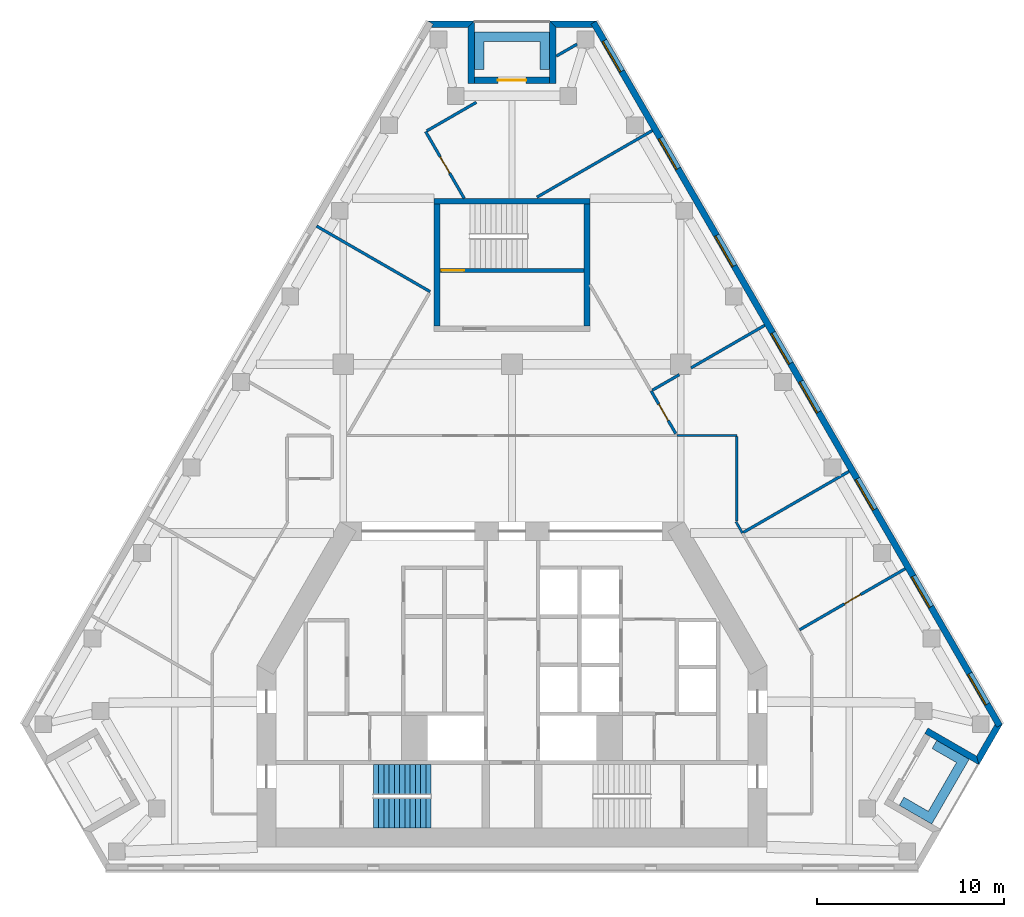
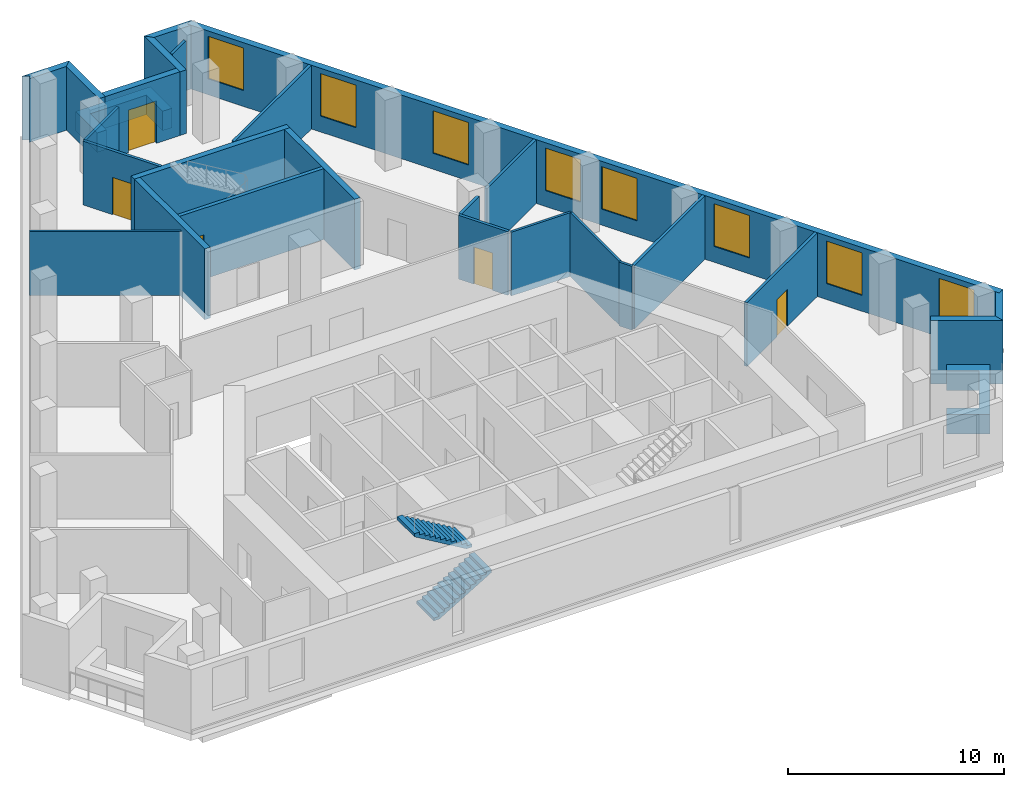
# One storey, part 5 of 7: 27 walls, 8 windows, 5 doors, 2 stair flights, 13 openings, 1 element without a shape of its own.
"""IFC4 building model written with IfcOpenShell, lengths in metres."""

import ifcopenshell
import ifcopenshell.guid

model = None  # the IFC model being written
_history = None  # IfcOwnerHistory: only IFC2X3 demands one
_inside = {}  # id of a spatial element -> (the spatial element, [elements in it])
_under = {}  # id of a project, library or spatial element -> (it, [spatial elements below it])
_declared = {}  # id of a project -> (the project, [libraries it declares])
_typed = {}  # id of a type object -> (the type object, [elements of that type])
_made_of = {}  # id of a material, layer set ... -> (it, [elements and type objects made of it])


def new_model(schema):
    """Start an empty IFC model of exactly this schema.

    Asked for "IFC4X3", IfcOpenShell would pick the latest addendum, in which some entities
    have other attributes; the version numbers below select the first issue.
    IFC2X3 requires an IfcOwnerHistory on every rooted entity: one is made here for all.
    """
    global model, _history
    if schema == "IFC4X3":
        model = ifcopenshell.file(schema_version=(4, 3, 0, 0))
    else:
        model = ifcopenshell.file(schema=schema)
    _inside.clear()
    _under.clear()
    _declared.clear()
    _typed.clear()
    _made_of.clear()
    _history = None
    if model.schema == "IFC2X3":
        org = make("IfcOrganization", Name="unknown")
        user = make(
            "IfcPersonAndOrganization",
            ThePerson=make("IfcPerson", FamilyName="unknown"),
            TheOrganization=org,
        )
        app = make(
            "IfcApplication",
            ApplicationDeveloper=org,
            Version="unknown",
            ApplicationFullName="unknown",
            ApplicationIdentifier="unknown",
        )
        _history = make(
            "IfcOwnerHistory",
            OwningUser=user,
            OwningApplication=app,
            ChangeAction="ADDED",
            CreationDate=0,
        )
    return model


def make(cls, **values):
    """One entity of the class cls with the attributes given. An attribute that is None is left unset."""
    return model.create_entity(
        cls, **{name: value for name, value in values.items() if value is not None}
    )


def rooted(cls, **values):
    """An entity with a GlobalId (a new one), such as an element, a storey or a relation."""
    return make(cls, GlobalId=ifcopenshell.guid.new(), OwnerHistory=_history, **values)


def si_unit(unit_type, name, prefix=None):
    """IfcSIUnit, for example si_unit("LENGTHUNIT", "METRE", prefix="MILLI")."""
    return make("IfcSIUnit", UnitType=unit_type, Prefix=prefix, Name=name)


def assignment(units):
    """IfcUnitAssignment: the units of a project."""
    return None if units is None else make("IfcUnitAssignment", Units=units)


def point(xyz):
    """IfcCartesianPoint."""
    return None if xyz is None else make("IfcCartesianPoint", Coordinates=xyz)


def direction(xyz):
    """IfcDirection."""
    return None if xyz is None else make("IfcDirection", DirectionRatios=xyz)


def frame(location, z_axis=None, x_axis=None):
    """IfcAxis2Placement3D, a coordinate frame: its origin and axes. An axis left out is left unset."""
    return make(
        "IfcAxis2Placement3D",
        Location=point(location),
        Axis=direction(z_axis),
        RefDirection=direction(x_axis),
    )


def frame_2d(location, x_axis=None):
    """IfcAxis2Placement2D, a coordinate frame in the plane: its origin and x axis."""
    return make(
        "IfcAxis2Placement2D", Location=point(location), RefDirection=direction(x_axis)
    )


def origin():
    """The frame at (0, 0, 0) with its axes left unset."""
    return frame((0.0, 0.0, 0.0))


def place(relative_to, where):
    """IfcLocalPlacement: puts the frame where relative to a parent placement (None: the world)."""
    return make(
        "IfcLocalPlacement", PlacementRelTo=relative_to, RelativePlacement=where
    )


def context(
    kind, dimensions, precision=None, world=None, true_north=None, identifier=None
):
    """IfcGeometricRepresentationContext, for example the 3D "Model" context."""
    return make(
        "IfcGeometricRepresentationContext",
        ContextIdentifier=identifier,
        ContextType=kind,
        CoordinateSpaceDimension=dimensions,
        Precision=precision,
        WorldCoordinateSystem=world,
        TrueNorth=true_north,
    )


def subcontext(parent, identifier, kind, view, scale=None):
    """IfcGeometricRepresentationSubContext, for example "Body" below "Model"."""
    return make(
        "IfcGeometricRepresentationSubContext",
        ContextIdentifier=identifier,
        ContextType=kind,
        ParentContext=parent,
        TargetScale=scale,
        TargetView=view,
    )


def project(units=None, contexts=None):
    """IfcProject with its units and contexts."""
    return rooted(
        "IfcProject",
        Name="project",
        RepresentationContexts=contexts,
        UnitsInContext=assignment(units),
    )


def spatial(cls, under=None, at=None, **own):
    """A site, building, storey or space (cls), placed at a placement, below another one or the project."""
    s = rooted(cls, ObjectPlacement=at, **own)
    if under is not None:
        _under.setdefault(under.id(), (under, []))[1].append(s)
    return s


def polyline(points):
    """IfcPolyline through the points."""
    return make("IfcPolyline", Points=[point(p) for p in points])


def profile(cls, at=None, kind="AREA", **sizes):
    """A parametric profile (cls). Its sizes go by their IFC names, for example OverallWidth=200.0."""
    return make(cls, ProfileType=kind, Position=at, **sizes)


def rectangle(**sizes):
    """IfcRectangleProfileDef."""
    return profile("IfcRectangleProfileDef", **sizes)


def outline(outer, holes=None, kind="AREA"):
    """IfcArbitraryClosedProfileDef: a profile drawn as a closed curve; with holes, ...WithVoids."""
    if holes is None:
        return make("IfcArbitraryClosedProfileDef", ProfileType=kind, OuterCurve=outer)
    return make(
        "IfcArbitraryProfileDefWithVoids",
        ProfileType=kind,
        OuterCurve=outer,
        InnerCurves=holes,
    )


def extrude(swept, where, along, depth):
    """IfcExtrudedAreaSolid: the profile swept, set in the frame where, extruded along a direction by depth."""
    return make(
        "IfcExtrudedAreaSolid",
        SweptArea=swept,
        Position=where,
        ExtrudedDirection=direction(along),
        Depth=depth,
    )


def shape(context_of_items, identifier, shape_type, items):
    """IfcShapeRepresentation: the items that make up one representation, for example the "Body"."""
    return make(
        "IfcShapeRepresentation",
        ContextOfItems=context_of_items,
        RepresentationIdentifier=identifier,
        RepresentationType=shape_type,
        Items=items,
    )


def material(Name=None, Category=None):
    """IfcMaterial."""
    return make("IfcMaterial", Name=Name, Category=Category)


def layer(
    of_material, thickness, ventilated=None, Name=None, Category=None, Priority=None
):
    """IfcMaterialLayer: one layer of a wall or slab, of a material (None: an air gap)."""
    return make(
        "IfcMaterialLayer",
        Material=of_material,
        LayerThickness=thickness,
        IsVentilated=ventilated,
        Name=Name,
        Category=Category,
        Priority=Priority,
    )


def layer_set(layers, Name=None):
    """IfcMaterialLayerSet."""
    return make("IfcMaterialLayerSet", MaterialLayers=layers, LayerSetName=Name)


def made_of(thing, what):
    """Note that an element or type object is made of a material, layer set ...; save() writes the relation."""
    if what is not None:
        _made_of.setdefault(what.id(), (what, []))[1].append(thing)
    return thing


def type_object(cls, material=None, **own):
    """A type object (cls), such as IfcWallType, which elements share."""
    return made_of(rooted(cls, **own), material)


def element(
    cls,
    number,
    at=None,
    inside=None,
    cuts=None,
    type_object=None,
    material=None,
    context=None,
    identifier="Body",
    shape_type=None,
    held_by="IfcProductDefinitionShape",
    body=None,
    shapes=None,
    **own,
):
    """One element of the class cls, such as IfcWall. Its Tag is "e" and its number.

    at: its placement. inside: the storey or other place that contains it. cuts: it is an
    opening in that element (IfcRelVoidsElement). A single representation is given by context,
    identifier, shape_type and body (its items); several are given by shapes. held_by: the class
    of the entity that holds the representations. save() writes the other relations.
    """
    e = rooted(cls, Tag="e%d" % number, ObjectPlacement=at, **own)
    if body is not None:
        shapes = [shape(context, identifier, shape_type, body)]
    if shapes is not None:
        e.Representation = make(held_by, Representations=shapes)
    if inside is not None:
        _inside.setdefault(inside.id(), (inside, []))[1].append(e)
    if cuts is not None:
        rooted(
            "IfcRelVoidsElement", RelatingBuildingElement=cuts, RelatedOpeningElement=e
        )
    if type_object is not None:
        _typed.setdefault(type_object.id(), (type_object, []))[1].append(e)
    return made_of(e, material)


def fill(opening, filler):
    """IfcRelFillsElement: the door or window that sits in an opening."""
    return rooted(
        "IfcRelFillsElement",
        RelatingOpeningElement=opening,
        RelatedBuildingElement=filler,
    )


def aggregate(whole, parts):
    """IfcRelAggregates: a whole, such as a stair, and the parts it consists of."""
    return rooted("IfcRelAggregates", RelatingObject=whole, RelatedObjects=parts)


def save(model, path):
    """Write the relations noted so far, then the file.

    IfcRelAggregates (storeys below a building ...), IfcRelContainedInSpatialStructure (elements
    in a storey), IfcRelDefinesByType, IfcRelAssociatesMaterial and IfcRelDeclares: one each for
    every whole, place, type object, material and project.
    """
    for whole, parts in _under.values():
        aggregate(whole, parts)
    for where, things in _inside.values():
        rooted(
            "IfcRelContainedInSpatialStructure",
            RelatedElements=things,
            RelatingStructure=where,
        )
    for kind, things in _typed.values():
        rooted("IfcRelDefinesByType", RelatedObjects=things, RelatingType=kind)
    for what, things in _made_of.values():
        rooted("IfcRelAssociatesMaterial", RelatedObjects=things, RelatingMaterial=what)
    for by, libraries in _declared.values():
        rooted("IfcRelDeclares", RelatingContext=by, RelatedDefinitions=libraries)
    model.write(path)


model = new_model("IFC4")

# Units and contexts
model_context = context("Model", 3, precision=1e-05, world=origin(), true_north=direction((0.0, 1.0)))
body_context = subcontext(model_context, "Body", "Model", "MODEL_VIEW")
ifc_project = project(units=[si_unit("LENGTHUNIT", "METRE"), si_unit("AREAUNIT", "SQUARE_METRE"), si_unit("VOLUMEUNIT", "CUBIC_METRE"), si_unit("PLANEANGLEUNIT", "RADIAN"), si_unit("MASSUNIT", "GRAM", prefix="KILO")], contexts=[model_context])

# Site, building, storey
site_placement = place(None, origin())
site = spatial("IfcSite", under=ifc_project, at=site_placement, CompositionType="ELEMENT")
building_placement = place(site_placement, origin())
building = spatial("IfcBuilding", under=site, at=building_placement, Name="Fogline Exchange Tower", CompositionType="ELEMENT")
storey_placement = place(building_placement, frame((0.0, 0.0, 255.5)))
storey = spatial("IfcBuildingStorey", under=building, at=storey_placement, Name="L58", CompositionType="ELEMENT", Elevation=255.5)

# Wall, opening, door
ifc_material_1 = material(Name="Concrete C40", Category="concrete")
ifc_layer_1 = layer(ifc_material_1, 0.199951171875)
ifc_layer_set_1 = layer_set([ifc_layer_1], Name="CW20R")
wall_type_1 = type_object("IfcWallType", Name="CW20R", PredefinedType="SOLIDWALL", material=ifc_layer_set_1)
wall_1_placement = place(storey_placement, frame((-3.85009765625, 32.007080078125, -0.39990234375), z_axis=(0.0, 0.0, 1.0), x_axis=(1.0, 0.0, 0.0)))
wall_1 = element("IfcWall", 1, at=wall_1_placement, inside=storey, type_object=wall_type_1, Name="Stair enclosure wall ST3", PredefinedType="SOLIDWALL", context=body_context, shape_type="SweptSolid", body=[
    extrude(rectangle(XDim=7.7001953125, YDim=0.199951171875, at=frame_2d((3.85009765625, 0.0))), origin(), (0.0, 0.0, 1.0), 4.0),
])
opening_1_placement = place(wall_1_placement, frame((0.10009765625, 0.0, 0.39990234375)))
opening_1 = element("IfcOpeningElement", 2, at=opening_1_placement, cuts=wall_1, Name="Opening T18-C024", PredefinedType="OPENING", context=body_context, shape_type="SweptSolid", body=[
    extrude(rectangle(XDim=1.199951171875, YDim=2.10009765625, at=frame_2d((0.60009765625, 1.050048828125))), frame((0.0, 0.10986328125, 0.0), z_axis=(0.0, -1.0, 0.0), x_axis=(1.0, 0.0, 0.0)), (0.0, 0.0, 1.0), 0.219970703125),
])
ifc_material_2 = material(Name="Steel and timber fire door", Category="steel")
door_type_1 = type_object("IfcDoorType", Name="D-ST1", OperationType="SINGLE_SWING_LEFT", PredefinedType="DOOR", material=ifc_material_2)
door_1_placement = place(opening_1_placement, origin())
door_1 = element("IfcDoor", 3, at=door_1_placement, inside=storey, type_object=door_type_1, Name="Stair door ST3", OperationType="SINGLE_SWING_LEFT", OverallHeight=2.10009765625, OverallWidth=1.199951171875, PredefinedType="DOOR", context=body_context, shape_type="SweptSolid", body=[
    extrude(rectangle(XDim=1.199951171875, YDim=2.10009765625, at=frame_2d((0.60009765625, 1.050048828125))), frame((0.0, 0.02490234375, 0.0), z_axis=(0.0, -1.0, 0.0), x_axis=(1.0, 0.0, 0.0)), (0.0, 0.0, 1.0), 0.050048828125),
])
fill(opening_1, door_1)

# Walls
ifc_layer_2 = layer(ifc_material_1, 0.300048828125)
ifc_layer_set_2 = layer_set([ifc_layer_2], Name="CW30")
wall_type_2 = type_object("IfcWallType", Name="CW30", PredefinedType="SOLIDWALL", material=ifc_layer_set_2)
wall_2_placement = place(storey_placement, frame((-4.14990234375, 35.70703125, -0.39990234375), z_axis=(0.0, 0.0, 1.0), x_axis=(1.0, 0.0, 0.0)))
element("IfcWall", 4, at=wall_2_placement, inside=storey, type_object=wall_type_2, Name="Stair enclosure wall ST3", PredefinedType="SOLIDWALL", context=body_context, shape_type="SweptSolid", body=[
    extrude(rectangle(XDim=8.2998046875, YDim=0.300048828125, at=frame_2d((4.14990234375, 0.0))), origin(), (0.0, 0.0, 1.0), 4.0),
])
for number, where, z_axis, x_axis, name in (
    (5, (-4.0, 29.056884765625, -0.39990234375), (0.0, 0.0, 1.0), (0.0, 1.0, 0.0), "Stair enclosure wall ST3"),
    (6, (4.0, 29.056884765625, -0.39990234375), (0.0, 0.0, 1.0), (0.0, 1.0, 0.0), "Stair enclosure wall ST3"),
):
    element("IfcWall", number, at=place(storey_placement, frame(where, z_axis=z_axis, x_axis=x_axis)), inside=storey, type_object=wall_type_2, Name=name, PredefinedType="SOLIDWALL", context=body_context, shape_type="SweptSolid", body=[
        extrude(rectangle(XDim=6.5, YDim=0.300048828125, at=frame_2d((3.25, 0.0))), origin(), (0.0, 0.0, 1.0), 4.0),
    ])
ifc_material_3 = material(Name="Brick masonry", Category="masonry")
ifc_layer_3 = layer(ifc_material_3, 0.340087890625)
ifc_layer_set_3 = layer_set([ifc_layer_3], Name="FW1")
wall_type_3 = type_object("IfcWallType", Name="FW1", PredefinedType="SOLIDWALL", material=ifc_layer_set_3)
wall_3_placement = place(storey_placement, origin())
element("IfcWall", 7, at=wall_3_placement, inside=storey, type_object=wall_type_3, Name="Brick wall L58 SE-s2", PredefinedType="SOLIDWALL", context=body_context, shape_type="SweptSolid", body=[
    extrude(outline(polyline([(24.919921875, 5.628173828125), (22.321044921875, 7.128662109375), (22.026123046875, 7.298828125), (22.196533203125, 7.594482421875), (24.79541015625, 6.093994140625), (24.920166015625, 5.62841796875), (24.919921875, 5.628173828125)])), origin(), (0.0, 0.0, 1.0), 3.60009765625),
])
wall_4_placement = place(storey_placement, origin())
element("IfcWall", 8, at=wall_4_placement, inside=storey, type_object=wall_type_3, Name="Brick wall L58 SE-c2", PredefinedType="SOLIDWALL", context=body_context, shape_type="SweptSolid", body=[
    extrude(outline(polyline([(25.77685546875, 7.79541015625), (25.875244140625, 7.625), (26.169921875, 7.79541015625), (26.17041015625, 7.794921875), (24.91943359375, 5.6279296875), (24.9189453125, 5.6279296875), (24.794189453125, 6.09375), (25.77685546875, 7.79541015625)])), origin(), (0.0, 0.0, 1.0), 3.60009765625),
])

# Wall, openings, windows
wall_5_placement = place(storey_placement, frame((26.022216796875, 7.709228515625, 0.0), z_axis=(0.0, 0.0, 1.0), x_axis=(-0.500000891752, 0.866024888931, 0.0)))
wall_5 = element("IfcWall", 9, at=wall_5_placement, inside=storey, type_object=wall_type_3, Name="Brick wall L58 E", PredefinedType="SOLIDWALL", context=body_context, shape_type="SweptSolid", body=[
    extrude(rectangle(XDim=43.3388671875, YDim=0.340087890625, at=frame_2d((21.66943359375, 0.0))), origin(), (0.0, 0.0, 1.0), 3.60009765625),
])
opening_2_placement = place(wall_5_placement, frame((1.334716796875, 0.0, 0.89990234375)))
opening_2 = element("IfcOpeningElement", 10, at=opening_2_placement, cuts=wall_5, Name="Opening W1", PredefinedType="OPENING", context=body_context, shape_type="SweptSolid", body=[
    extrude(rectangle(XDim=1.885009765625, YDim=2.39990234375, at=frame_2d((0.9423828125, 1.199951171875))), frame((0.0, 0.18017578125, 0.0), z_axis=(0.0, -1.0, 0.0), x_axis=(1.0, 0.0, 0.0)), (0.0, 0.0, 1.0), 0.360107421875),
])
opening_3_placement = place(wall_5_placement, frame((7.334716796875, 0.0, 0.89990234375)))
opening_3 = element("IfcOpeningElement", 11, at=opening_3_placement, cuts=wall_5, Name="Opening W1", PredefinedType="OPENING", context=body_context, shape_type="SweptSolid", body=[
    extrude(rectangle(XDim=1.885009765625, YDim=2.39990234375, at=frame_2d((0.9423828125, 1.199951171875))), frame((0.0, 0.18017578125, 0.0), z_axis=(0.0, -1.0, 0.0), x_axis=(1.0, 0.0, 0.0)), (0.0, 0.0, 1.0), 0.360107421875),
])
opening_4_placement = place(wall_5_placement, frame((13.334716796875, 0.0, 0.89990234375)))
opening_4 = element("IfcOpeningElement", 12, at=opening_4_placement, cuts=wall_5, Name="Opening W1", PredefinedType="OPENING", context=body_context, shape_type="SweptSolid", body=[
    extrude(rectangle(XDim=1.885009765625, YDim=2.39990234375, at=frame_2d((0.9423828125, 1.199951171875))), frame((0.0, 0.18017578125, 0.0), z_axis=(0.0, -1.0, 0.0), x_axis=(1.0, 0.0, 0.0)), (0.0, 0.0, 1.0), 0.360107421875),
])
opening_5_placement = place(wall_5_placement, frame((19.334716796875, 0.0, 0.89990234375)))
opening_5 = element("IfcOpeningElement", 13, at=opening_5_placement, cuts=wall_5, Name="Opening W1", PredefinedType="OPENING", context=body_context, shape_type="SweptSolid", body=[
    extrude(rectangle(XDim=1.885009765625, YDim=2.39990234375, at=frame_2d((0.9423828125, 1.199951171875))), frame((0.0, 0.18017578125, 0.0), z_axis=(0.0, -1.0, 0.0), x_axis=(1.0, 0.0, 0.0)), (0.0, 0.0, 1.0), 0.360107421875),
])
opening_6_placement = place(wall_5_placement, frame((22.334716796875, 0.0, 0.89990234375)))
opening_6 = element("IfcOpeningElement", 14, at=opening_6_placement, cuts=wall_5, Name="Opening W1", PredefinedType="OPENING", context=body_context, shape_type="SweptSolid", body=[
    extrude(rectangle(XDim=1.885009765625, YDim=2.39990234375, at=frame_2d((0.9423828125, 1.199951171875))), frame((0.0, 0.18017578125, 0.0), z_axis=(0.0, -1.0, 0.0), x_axis=(1.0, 0.0, 0.0)), (0.0, 0.0, 1.0), 0.360107421875),
])
opening_7_placement = place(wall_5_placement, frame((28.334716796875, 0.0, 0.89990234375)))
opening_7 = element("IfcOpeningElement", 15, at=opening_7_placement, cuts=wall_5, Name="Opening W1", PredefinedType="OPENING", context=body_context, shape_type="SweptSolid", body=[
    extrude(rectangle(XDim=1.885009765625, YDim=2.39990234375, at=frame_2d((0.9423828125, 1.199951171875))), frame((0.0, 0.18017578125, 0.0), z_axis=(0.0, -1.0, 0.0), x_axis=(1.0, 0.0, 0.0)), (0.0, 0.0, 1.0), 0.360107421875),
])
opening_8_placement = place(wall_5_placement, frame((34.334716796875, 0.0, 0.89990234375)))
opening_8 = element("IfcOpeningElement", 16, at=opening_8_placement, cuts=wall_5, Name="Opening W1", PredefinedType="OPENING", context=body_context, shape_type="SweptSolid", body=[
    extrude(rectangle(XDim=1.885009765625, YDim=2.39990234375, at=frame_2d((0.9423828125, 1.199951171875))), frame((0.0, 0.18017578125, 0.0), z_axis=(0.0, -1.0, 0.0), x_axis=(1.0, 0.0, 0.0)), (0.0, 0.0, 1.0), 0.360107421875),
])
opening_9_placement = place(wall_5_placement, frame((40.334716796875, 0.0, 0.89990234375)))
opening_9 = element("IfcOpeningElement", 17, at=opening_9_placement, cuts=wall_5, Name="Opening W1", PredefinedType="OPENING", context=body_context, shape_type="SweptSolid", body=[
    extrude(rectangle(XDim=1.885009765625, YDim=2.39990234375, at=frame_2d((0.9423828125, 1.199951171875))), frame((0.0, 0.18017578125, 0.0), z_axis=(0.0, -1.0, 0.0), x_axis=(1.0, 0.0, 0.0)), (0.0, 0.0, 1.0), 0.360107421875),
])
ifc_material_4 = material(Name="Aluminium and glass", Category="aluminium")
window_type = type_object("IfcWindowType", Name="W1", PartitioningType="SINGLE_PANEL", PredefinedType="WINDOW", material=ifc_material_4)
window_1_placement = place(opening_2_placement, origin())
window_1 = element("IfcWindow", 18, at=window_1_placement, inside=storey, type_object=window_type, Name="W1 W1", OverallHeight=2.39990234375, OverallWidth=1.885009765625, PartitioningType="SINGLE_PANEL", PredefinedType="WINDOW", context=body_context, shape_type="SweptSolid", body=[
    extrude(rectangle(XDim=1.885009765625, YDim=2.39990234375, at=frame_2d((0.9423828125, 1.199951171875))), frame((0.0, 0.110107421875, 0.0), z_axis=(0.0, -1.0, 0.0), x_axis=(1.0, 0.0, 0.0)), (0.0, 0.0, 1.0), 0.06005859375),
])
fill(opening_2, window_1)
window_2_placement = place(opening_3_placement, origin())
window_2 = element("IfcWindow", 19, at=window_2_placement, inside=storey, type_object=window_type, Name="W1 W1", OverallHeight=2.39990234375, OverallWidth=1.885009765625, PartitioningType="SINGLE_PANEL", PredefinedType="WINDOW", context=body_context, shape_type="SweptSolid", body=[
    extrude(rectangle(XDim=1.885009765625, YDim=2.39990234375, at=frame_2d((0.9423828125, 1.199951171875))), frame((0.0, 0.110107421875, 0.0), z_axis=(0.0, -1.0, 0.0), x_axis=(1.0, 0.0, 0.0)), (0.0, 0.0, 1.0), 0.06005859375),
])
fill(opening_3, window_2)
window_3_placement = place(opening_4_placement, origin())
window_3 = element("IfcWindow", 20, at=window_3_placement, inside=storey, type_object=window_type, Name="W1 W1", OverallHeight=2.39990234375, OverallWidth=1.885009765625, PartitioningType="SINGLE_PANEL", PredefinedType="WINDOW", context=body_context, shape_type="SweptSolid", body=[
    extrude(rectangle(XDim=1.885009765625, YDim=2.39990234375, at=frame_2d((0.9423828125, 1.199951171875))), frame((0.0, 0.110107421875, 0.0), z_axis=(0.0, -1.0, 0.0), x_axis=(1.0, 0.0, 0.0)), (0.0, 0.0, 1.0), 0.06005859375),
])
fill(opening_4, window_3)
window_4_placement = place(opening_5_placement, origin())
window_4 = element("IfcWindow", 21, at=window_4_placement, inside=storey, type_object=window_type, Name="W1 W1", OverallHeight=2.39990234375, OverallWidth=1.885009765625, PartitioningType="SINGLE_PANEL", PredefinedType="WINDOW", context=body_context, shape_type="SweptSolid", body=[
    extrude(rectangle(XDim=1.885009765625, YDim=2.39990234375, at=frame_2d((0.9423828125, 1.199951171875))), frame((0.0, 0.110107421875, 0.0), z_axis=(0.0, -1.0, 0.0), x_axis=(1.0, 0.0, 0.0)), (0.0, 0.0, 1.0), 0.06005859375),
])
fill(opening_5, window_4)
window_5_placement = place(opening_6_placement, origin())
window_5 = element("IfcWindow", 22, at=window_5_placement, inside=storey, type_object=window_type, Name="W1 W1", OverallHeight=2.39990234375, OverallWidth=1.885009765625, PartitioningType="SINGLE_PANEL", PredefinedType="WINDOW", context=body_context, shape_type="SweptSolid", body=[
    extrude(rectangle(XDim=1.885009765625, YDim=2.39990234375, at=frame_2d((0.9423828125, 1.199951171875))), frame((0.0, 0.110107421875, 0.0), z_axis=(0.0, -1.0, 0.0), x_axis=(1.0, 0.0, 0.0)), (0.0, 0.0, 1.0), 0.06005859375),
])
fill(opening_6, window_5)
window_6_placement = place(opening_7_placement, origin())
window_6 = element("IfcWindow", 23, at=window_6_placement, inside=storey, type_object=window_type, Name="W1 W1", OverallHeight=2.39990234375, OverallWidth=1.885009765625, PartitioningType="SINGLE_PANEL", PredefinedType="WINDOW", context=body_context, shape_type="SweptSolid", body=[
    extrude(rectangle(XDim=1.885009765625, YDim=2.39990234375, at=frame_2d((0.9423828125, 1.199951171875))), frame((0.0, 0.110107421875, 0.0), z_axis=(0.0, -1.0, 0.0), x_axis=(1.0, 0.0, 0.0)), (0.0, 0.0, 1.0), 0.06005859375),
])
fill(opening_7, window_6)
window_7_placement = place(opening_8_placement, origin())
window_7 = element("IfcWindow", 24, at=window_7_placement, inside=storey, type_object=window_type, Name="W1 W1", OverallHeight=2.39990234375, OverallWidth=1.885009765625, PartitioningType="SINGLE_PANEL", PredefinedType="WINDOW", context=body_context, shape_type="SweptSolid", body=[
    extrude(rectangle(XDim=1.885009765625, YDim=2.39990234375, at=frame_2d((0.9423828125, 1.199951171875))), frame((0.0, 0.110107421875, 0.0), z_axis=(0.0, -1.0, 0.0), x_axis=(1.0, 0.0, 0.0)), (0.0, 0.0, 1.0), 0.06005859375),
])
fill(opening_8, window_7)
window_8_placement = place(opening_9_placement, origin())
window_8 = element("IfcWindow", 25, at=window_8_placement, inside=storey, type_object=window_type, Name="W1 W1", OverallHeight=2.39990234375, OverallWidth=1.885009765625, PartitioningType="SINGLE_PANEL", PredefinedType="WINDOW", context=body_context, shape_type="SweptSolid", body=[
    extrude(rectangle(XDim=1.885009765625, YDim=2.39990234375, at=frame_2d((0.9423828125, 1.199951171875))), frame((0.0, 0.110107421875, 0.0), z_axis=(0.0, -1.0, 0.0), x_axis=(1.0, 0.0, 0.0)), (0.0, 0.0, 1.0), 0.06005859375),
])
fill(opening_9, window_8)

# Walls
wall_6_placement = place(storey_placement, origin())
element("IfcWall", 26, at=wall_6_placement, inside=storey, type_object=wall_type_3, Name="Brick wall L58 N-c1", PredefinedType="SOLIDWALL", context=body_context, shape_type="SweptSolid", body=[
    extrude(outline(polyline([(1.9990234375, 45.3271484375), (4.5009765625, 45.3271484375), (4.501220703125, 45.32666015625), (4.206298828125, 45.156494140625), (4.3046875, 44.986083984375), (2.33984375, 44.986083984375), (1.998779296875, 45.326904296875), (1.9990234375, 45.3271484375)])), origin(), (0.0, 0.0, 1.0), 3.60009765625),
])
wall_7_placement = place(storey_placement, origin())
element("IfcWall", 27, at=wall_7_placement, inside=storey, type_object=wall_type_3, Name="Brick wall L58 N-s1", PredefinedType="SOLIDWALL", context=body_context, shape_type="SweptSolid", body=[
    extrude(outline(polyline([(2.340576171875, 41.986083984375), (1.99951171875, 41.986083984375), (1.99951171875, 45.32763671875), (1.999755859375, 45.327880859375), (2.340576171875, 44.98681640625), (2.340576171875, 41.986083984375)])), origin(), (0.0, 0.0, 1.0), 3.60009765625),
])

# Wall, opening, door
wall_8_placement = place(storey_placement, frame((2.0, 42.15673828125, 0.0), z_axis=(0.0, 0.0, 1.0), x_axis=(-1.0, 0.0, 0.0)))
wall_8 = element("IfcWall", 28, at=wall_8_placement, inside=storey, type_object=wall_type_3, Name="Brick wall L58 N-bk", PredefinedType="SOLIDWALL", context=body_context, shape_type="SweptSolid", body=[
    extrude(rectangle(XDim=4.0, YDim=0.340087890625, at=frame_2d((2.0, 0.0))), origin(), (0.0, 0.0, 1.0), 3.60009765625),
])
opening_10_placement = place(wall_8_placement, frame((1.25, 0.0, 0.0)))
opening_10 = element("IfcOpeningElement", 29, at=opening_10_placement, cuts=wall_8, Name="Opening T18-E141", PredefinedType="OPENING", context=body_context, shape_type="SweptSolid", body=[
    extrude(rectangle(XDim=1.5, YDim=2.39990234375, at=frame_2d((0.75, 1.199951171875))), frame((0.0, 0.18017578125, 0.0), z_axis=(0.0, -1.0, 0.0), x_axis=(1.0, 0.0, 0.0)), (0.0, 0.0, 1.0), 0.360107421875),
])
door_type_2 = type_object("IfcDoorType", Name="ED4", OperationType="SINGLE_SWING_LEFT", PredefinedType="DOOR", material=ifc_material_4)
door_2_placement = place(opening_10_placement, frame((1.5, 0.0, 0.0), z_axis=(0.0, 0.0, 1.0), x_axis=(-1.0, 0.0, 0.0)))
door_2 = element("IfcDoor", 30, at=door_2_placement, inside=storey, type_object=door_type_2, Name="Balcony door L58 N", OperationType="DOUBLE_DOOR_SINGLE_SWING", OverallHeight=2.39990234375, OverallWidth=1.5, PredefinedType="DOOR", context=body_context, shape_type="SweptSolid", body=[
    extrude(rectangle(XDim=1.5, YDim=2.39990234375, at=frame_2d((0.75, 1.199951171875))), frame((0.0, 0.02490234375, 0.0), z_axis=(0.0, -1.0, 0.0), x_axis=(1.0, 0.0, 0.0)), (0.0, 0.0, 1.0), 0.050048828125),
])
fill(opening_10, door_2)

# Walls
wall_9_placement = place(storey_placement, origin())
element("IfcWall", 31, at=wall_9_placement, inside=storey, type_object=wall_type_3, Name="Brick wall L58 N-s2", PredefinedType="SOLIDWALL", context=body_context, shape_type="SweptSolid", body=[
    extrude(outline(polyline([(-1.99951171875, 45.32763671875), (-1.99951171875, 41.986083984375), (-2.340576171875, 41.986083984375), (-2.340576171875, 44.98681640625), (-1.999755859375, 45.327880859375), (-1.99951171875, 45.32763671875)])), origin(), (0.0, 0.0, 1.0), 3.60009765625),
])
wall_10_placement = place(storey_placement, origin())
element("IfcWall", 32, at=wall_10_placement, inside=storey, type_object=wall_type_3, Name="Brick wall L58 N-c2", PredefinedType="SOLIDWALL", context=body_context, shape_type="SweptSolid", body=[
    extrude(outline(polyline([(-4.3046875, 44.986083984375), (-4.206298828125, 45.156494140625), (-4.501220703125, 45.32666015625), (-4.5009765625, 45.3271484375), (-1.9990234375, 45.3271484375), (-1.998779296875, 45.326904296875), (-2.33984375, 44.986083984375), (-4.3046875, 44.986083984375)])), origin(), (0.0, 0.0, 1.0), 3.60009765625),
])
ifc_material_5 = material(Name="Concrete C30", Category="concrete")
ifc_layer_4 = layer(ifc_material_5, 0.199951171875)
ifc_layer_set_4 = layer_set([ifc_layer_4], Name="PL1")
wall_type_4 = type_object("IfcWallType", Name="PL1", PredefinedType="USERDEFINED", material=ifc_layer_set_4)
wall_11_placement = place(storey_placement, origin())
element("IfcWall", 33, at=wall_11_placement, inside=storey, type_object=wall_type_4, Name="PLANTER balcony L58 SE", ObjectType="PLANTER", PredefinedType="USERDEFINED", context=body_context, shape_type="SweptSolid", body=[
    extrude(outline(polyline([(20.667724609375, 3.465087890625), (21.966796875, 2.715087890625), (21.966796875, 2.715087890625), (22.399658203125, 2.465087890625), (24.149658203125, 5.49609375), (24.399658203125, 5.92919921875), (22.667724609375, 6.92919921875), (22.417724609375, 6.49609375), (23.716796875, 5.74609375), (22.216796875, 3.148193359375), (20.917724609375, 3.898193359375), (20.667724609375, 3.465087890625)])), origin(), (0.0, 0.0, 1.0), 1.10009765625),
])
wall_12_placement = place(storey_placement, origin())
element("IfcWall", 34, at=wall_12_placement, inside=storey, type_object=wall_type_4, Name="PLANTER balcony L58 N", ObjectType="PLANTER", PredefinedType="USERDEFINED", context=body_context, shape_type="SweptSolid", body=[
    extrude(outline(polyline([(-1.5, 44.726806640625), (-2.0, 44.726806640625), (-2.0, 44.226806640625), (-2.0, 42.726806640625), (-1.5, 42.726806640625), (-1.5, 44.226806640625), (1.5, 44.226806640625), (1.5, 42.726806640625), (2.0, 42.726806640625), (2.0, 44.226806640625), (2.0, 44.726806640625), (1.5, 44.726806640625), (-1.5, 44.726806640625)])), origin(), (0.0, 0.0, 1.0), 1.10009765625),
])
ifc_material_6 = material(Name="Plasterboard corridor partition with mineral wool, 2 layers each side")
ifc_layer_5 = layer(ifc_material_6, 0.125)
ifc_layer_set_5 = layer_set([ifc_layer_5], Name="PW2")
wall_type_5 = type_object("IfcWallType", Name="PW2", PredefinedType="PARTITIONING", material=ifc_layer_set_5)
wall_13_placement = place(storey_placement, frame((11.951904296875, 18.60009765625, 0.0), z_axis=(0.0, 0.0, 1.0), x_axis=(0.499793951269, -0.866144333396, 0.0)))
element("IfcWall", 35, at=wall_13_placement, inside=storey, type_object=wall_type_5, Name="wall-L58-W001", PredefinedType="PARTITIONING", context=body_context, shape_type="SweptSolid", body=[
    extrude(rectangle(XDim=0.689697265625, YDim=0.125, at=frame_2d((0.3447265625, 0.0))), origin(), (0.0, 0.0, 1.0), 3.60009765625),
])
wall_14_placement = place(storey_placement, frame((8.79931640625, 23.199951171875, 0.0), z_axis=(0.0, 0.0, 1.0), x_axis=(1.0, 0.0, 0.0)))
element("IfcWall", 36, at=wall_14_placement, inside=storey, type_object=wall_type_5, Name="wall-L58-W006", PredefinedType="PARTITIONING", context=body_context, shape_type="SweptSolid", body=[
    extrude(rectangle(XDim=3.20068359375, YDim=0.125, at=frame_2d((1.600341796875, 0.0))), origin(), (0.0, 0.0, 1.0), 3.60009765625),
])
wall_15_placement = place(storey_placement, frame((12.0, 23.137451171875, 0.0), z_axis=(0.0, 0.0, 1.0), x_axis=(0.0, -1.0, 0.0)))
element("IfcWall", 37, at=wall_15_placement, inside=storey, type_object=wall_type_5, Name="wall-L58-W007", PredefinedType="PARTITIONING", context=body_context, shape_type="SweptSolid", body=[
    extrude(rectangle(XDim=4.505859375, YDim=0.125, at=frame_2d((2.2529296875, 0.0))), origin(), (0.0, 0.0, 1.0), 3.60009765625),
])
ifc_material_7 = material(Name="Plasterboard demising partition with mineral wool and acoustic board")
ifc_layer_6 = layer(ifc_material_7, 0.14990234375)
ifc_layer_set_6 = layer_set([ifc_layer_6], Name="PW3")
wall_type_6 = type_object("IfcWallType", Name="PW3", PredefinedType="PARTITIONING", material=ifc_layer_set_6)
wall_16_placement = place(storey_placement, frame((7.489013671875, 25.619384765625, 0.0), z_axis=(0.0, 0.0, 1.0), x_axis=(0.86604609353, 0.499964162598, 0.0)))
element("IfcWall", 38, at=wall_16_placement, inside=storey, type_object=wall_type_6, Name="wall-L58-W017", PredefinedType="PARTITIONING", context=body_context, shape_type="SweptSolid", body=[
    extrude(rectangle(XDim=1.6611328125, YDim=0.14990234375, at=frame_2d((0.83056640625, 0.0))), origin(), (0.0, 0.0, 1.0), 3.60009765625),
])
wall_17_placement = place(storey_placement, frame((9.550048828125, 26.809326171875, 0.0), z_axis=(0.0, 0.0, 1.0), x_axis=(0.866039786615, 0.499975087379, 0.0)))
element("IfcWall", 39, at=wall_17_placement, inside=storey, type_object=wall_type_6, Name="wall-L58-W018", PredefinedType="PARTITIONING", context=body_context, shape_type="SweptSolid", body=[
    extrude(rectangle(XDim=4.545166015625, YDim=0.14990234375, at=frame_2d((2.2724609375, 0.0))), origin(), (0.0, 0.0, 1.0), 3.60009765625),
])

# Wall, opening, door
wall_18_placement = place(storey_placement, frame((8.7412109375, 23.30029296875, 0.0), z_axis=(0.0, 0.0, 1.0), x_axis=(-0.499976488486, 0.866038977738, 0.0)))
wall_18 = element("IfcWall", 40, at=wall_18_placement, inside=storey, type_object=wall_type_6, Name="wall-L58-W019", PredefinedType="PARTITIONING", context=body_context, shape_type="SweptSolid", body=[
    extrude(rectangle(XDim=2.634521484375, YDim=0.14990234375, at=frame_2d((1.3173828125, 0.0))), origin(), (0.0, 0.0, 1.0), 3.60009765625),
])
opening_11_placement = place(wall_18_placement, frame((0.817138671875, 0.0, 0.0)))
opening_11 = element("IfcOpeningElement", 41, at=opening_11_placement, cuts=wall_18, Name="Opening T18-D008", PredefinedType="OPENING", context=body_context, shape_type="SweptSolid", body=[
    extrude(rectangle(XDim=1.0, YDim=2.10009765625, at=frame_2d((0.5, 1.050048828125))), frame((0.0, 0.0849609375, 0.0), z_axis=(0.0, -1.0, 0.0), x_axis=(1.0, 0.0, 0.0)), (0.0, 0.0, 1.0), 0.169921875),
])
ifc_material_8 = material(Name="Fire-rated timber door leaf with steel frame", Category="steel")
door_type_3 = type_object("IfcDoorType", Name="D3", OperationType="SINGLE_SWING_LEFT", PredefinedType="DOOR", material=ifc_material_8)
door_3_placement = place(opening_11_placement, frame((1.0, 0.0, 0.0), z_axis=(0.0, 0.0, 1.0), x_axis=(-1.0, 0.0, 0.0)))
door_3 = element("IfcDoor", 42, at=door_3_placement, inside=storey, type_object=door_type_3, Name="door-L58-D008", OperationType="SINGLE_SWING_RIGHT", OverallHeight=2.10009765625, OverallWidth=1.0, PredefinedType="DOOR", context=body_context, shape_type="SweptSolid", body=[
    extrude(rectangle(XDim=1.0, YDim=2.10009765625, at=frame_2d((0.5, 1.050048828125))), frame((0.0, 0.02490234375, 0.0), z_axis=(0.0, -1.0, 0.0), x_axis=(1.0, 0.0, 0.0)), (0.0, 0.0, 1.0), 0.050048828125),
])
fill(opening_11, door_3)

# Walls
wall_19_placement = place(storey_placement, frame((17.986328125, 21.28759765625, 0.0), z_axis=(0.0, 0.0, 1.0), x_axis=(-0.866041263748, -0.499972528731, 0.0)))
element("IfcWall", 43, at=wall_19_placement, inside=storey, type_object=wall_type_6, Name="wall-L58-W020", PredefinedType="PARTITIONING", context=body_context, shape_type="SweptSolid", body=[
    extrude(rectangle(XDim=6.507080078125, YDim=0.14990234375, at=frame_2d((3.25341796875, 0.0))), origin(), (0.0, 0.0, 1.0), 3.60009765625),
])
wall_20_placement = place(storey_placement, frame((1.3330078125, 35.921630859375, 0.0), z_axis=(0.0, 0.0, 1.0), x_axis=(0.86603338142, 0.499986182076, 0.0)))
element("IfcWall", 44, at=wall_20_placement, inside=storey, type_object=wall_type_6, Name="wall-L58-W021", PredefinedType="PARTITIONING", context=body_context, shape_type="SweptSolid", body=[
    extrude(rectangle(XDim=7.105224609375, YDim=0.14990234375, at=frame_2d((3.552734375, 0.0))), origin(), (0.0, 0.0, 1.0), 3.60009765625),
])
wall_21_placement = place(storey_placement, frame((3.47265625, 44.08740234375, 0.0), z_axis=(0.0, 0.0, 1.0), x_axis=(-0.866036056452, -0.499981548585, 0.0)))
element("IfcWall", 45, at=wall_21_placement, inside=storey, type_object=wall_type_6, Name="wall-L58-W022", PredefinedType="PARTITIONING", context=body_context, shape_type="SweptSolid", body=[
    extrude(rectangle(XDim=1.27783203125, YDim=0.14990234375, at=frame_2d((0.638916015625, 0.0))), origin(), (0.0, 0.0, 1.0), 3.60009765625),
])

# Wall, opening, door
wall_22_placement = place(storey_placement, frame((-2.549560546875, 35.85693359375, 0.0), z_axis=(0.0, 0.0, 1.0), x_axis=(-0.499997954832, 0.866026584559, 0.0)))
wall_22 = element("IfcWall", 46, at=wall_22_placement, inside=storey, type_object=wall_type_6, Name="wall-L58-W024", PredefinedType="PARTITIONING", context=body_context, shape_type="SweptSolid", body=[
    extrude(rectangle(XDim=4.11669921875, YDim=0.14990234375, at=frame_2d((2.058349609375, 0.0))), origin(), (0.0, 0.0, 1.0), 3.60009765625),
])
opening_12_placement = place(wall_22_placement, frame((1.558349609375, 0.0, 0.0)))
opening_12 = element("IfcOpeningElement", 47, at=opening_12_placement, cuts=wall_22, Name="Opening T18-D010", PredefinedType="OPENING", context=body_context, shape_type="SweptSolid", body=[
    extrude(rectangle(XDim=1.0, YDim=2.10009765625, at=frame_2d((0.5, 1.050048828125))), frame((0.0, 0.0849609375, 0.0), z_axis=(0.0, -1.0, 0.0), x_axis=(1.0, 0.0, 0.0)), (0.0, 0.0, 1.0), 0.169921875),
])
door_4_placement = place(opening_12_placement, frame((1.0, 0.0, 0.0), z_axis=(0.0, 0.0, 1.0), x_axis=(-1.0, 0.0, 0.0)))
door_4 = element("IfcDoor", 48, at=door_4_placement, inside=storey, type_object=door_type_3, Name="door-L58-D010", OperationType="SINGLE_SWING_RIGHT", OverallHeight=2.10009765625, OverallWidth=1.0, PredefinedType="DOOR", context=body_context, shape_type="SweptSolid", body=[
    extrude(rectangle(XDim=1.0, YDim=2.10009765625, at=frame_2d((0.5, 1.050048828125))), frame((0.0, 0.02490234375, 0.0), z_axis=(0.0, -1.0, 0.0), x_axis=(1.0, 0.0, 0.0)), (0.0, 0.0, 1.0), 0.050048828125),
])
fill(opening_12, door_4)

# Walls
wall_23_placement = place(storey_placement, frame((-4.54296875, 39.459716796875, 0.0), z_axis=(0.0, 0.0, 1.0), x_axis=(0.86602690036, 0.499997407846, 0.0)))
element("IfcWall", 49, at=wall_23_placement, inside=storey, type_object=wall_type_6, Name="wall-L58-W025", PredefinedType="PARTITIONING", context=body_context, shape_type="SweptSolid", body=[
    extrude(rectangle(XDim=3.048828125, YDim=0.14990234375, at=frame_2d((1.5244140625, 0.0))), origin(), (0.0, 0.0, 1.0), 3.60009765625),
])
wall_24_placement = place(storey_placement, frame((-4.36669921875, 30.877685546875, 0.0), z_axis=(0.0, 0.0, 1.0), x_axis=(-0.866019471182, 0.500010275428, 0.0)))
element("IfcWall", 50, at=wall_24_placement, inside=storey, type_object=wall_type_6, Name="wall-L58-W027", PredefinedType="PARTITIONING", context=body_context, shape_type="SweptSolid", body=[
    extrude(rectangle(XDim=6.999755859375, YDim=0.14990234375, at=frame_2d((3.5, 0.0))), origin(), (0.0, 0.0, 1.0), 3.60009765625),
])

# Wall, opening, door
wall_25_placement = place(storey_placement, frame((15.350830078125, 12.837890625, 0.0), z_axis=(0.0, 0.0, 1.0), x_axis=(0.866025018171, 0.500000667901, 0.0)))
wall_25 = element("IfcWall", 51, at=wall_25_placement, inside=storey, type_object=wall_type_6, Name="wall-L58-W033", PredefinedType="PARTITIONING", context=body_context, shape_type="SweptSolid", body=[
    extrude(rectangle(XDim=6.50732421875, YDim=0.14990234375, at=frame_2d((3.253662109375, 0.0))), origin(), (0.0, 0.0, 1.0), 3.60009765625),
])
opening_13_placement = place(wall_25_placement, frame((2.753662109375, 0.0, 0.0)))
opening_13 = element("IfcOpeningElement", 52, at=opening_13_placement, cuts=wall_25, Name="Opening T18-D012", PredefinedType="OPENING", context=body_context, shape_type="SweptSolid", body=[
    extrude(rectangle(XDim=1.0, YDim=2.10009765625, at=frame_2d((0.5, 1.050048828125))), frame((0.0, 0.0849609375, 0.0), z_axis=(0.0, -1.0, 0.0), x_axis=(1.0, 0.0, 0.0)), (0.0, 0.0, 1.0), 0.169921875),
])
door_5_placement = place(opening_13_placement, origin())
door_5 = element("IfcDoor", 53, at=door_5_placement, inside=storey, type_object=door_type_3, Name="door-L58-D012", OperationType="SINGLE_SWING_LEFT", OverallHeight=2.10009765625, OverallWidth=1.0, PredefinedType="DOOR", context=body_context, shape_type="SweptSolid", body=[
    extrude(rectangle(XDim=1.0, YDim=2.10009765625, at=frame_2d((0.5, 1.050048828125))), frame((0.0, 0.02490234375, 0.0), z_axis=(0.0, -1.0, 0.0), x_axis=(1.0, 0.0, 0.0)), (0.0, 0.0, 1.0), 0.050048828125),
])
fill(opening_13, door_5)

# Stair, stair flights
stair_type = type_object("IfcStairType", Name="STR24-1667", PredefinedType="HALF_TURN_STAIR", material=ifc_material_1)
stair_placement = place(storey_placement, origin())
stair = element("IfcStair", 54, at=stair_placement, inside=storey, type_object=stair_type, Name="Stair ST1", PredefinedType="HALF_TURN_STAIR")
stair_flight_type = type_object("IfcStairFlightType", Name="SF12-1667", PredefinedType="STRAIGHT", material=ifc_material_1)
stair_flight_1_placement = place(storey_placement, frame((-7.39990234375, 3.050048828125, 0.0), z_axis=(0.0, 0.0, 1.0), x_axis=(1.0, 0.0, 0.0)))
stair_flight_1 = element("IfcStairFlight", 55, at=stair_flight_1_placement, type_object=stair_flight_type, Name="ST1 flight 1", NumberOfRisers=12, NumberOfTreads=11, PredefinedType="STRAIGHT", RiserHeight=0.166666667, TreadLength=0.28, context=body_context, shape_type="SweptSolid", body=[
    extrude(outline(polyline([(0.0, 0.0), (0.0, 0.166748046875), (0.280029296875, 0.166748046875), (0.280029296875, 0.333251953125), (0.56005859375, 0.333251953125), (0.56005859375, 0.5), (0.840087890625, 0.5), (0.840087890625, 0.666748046875), (1.1201171875, 0.666748046875), (1.1201171875, 0.833251953125), (1.39990234375, 0.833251953125), (1.39990234375, 1.0), (1.679931640625, 1.0), (1.679931640625, 1.166748046875), (1.9599609375, 1.166748046875), (1.9599609375, 1.333251953125), (2.239990234375, 1.333251953125), (2.239990234375, 1.5), (2.52001953125, 1.5), (2.52001953125, 1.666748046875), (2.800048828125, 1.666748046875), (2.800048828125, 1.833251953125), (3.080078125, 1.833251953125), (3.080078125, 2.0), (3.080078125, 1.658935546875), (0.29296875, 0.0), (0.0, 0.0)])), frame((0.0, 0.800048828125, 0.0), z_axis=(0.0, -1.0, 0.0), x_axis=(1.0, 0.0, 0.0)), (0.0, 0.0, 1.0), 1.60009765625),
])
stair_flight_2_placement = place(storey_placement, frame((-4.320068359375, 4.85009765625, 2.0), z_axis=(0.0, 0.0, 1.0), x_axis=(-1.0, 0.0, 0.0)))
stair_flight_2 = element("IfcStairFlight", 56, at=stair_flight_2_placement, type_object=stair_flight_type, Name="ST1 flight 2", NumberOfRisers=12, NumberOfTreads=11, PredefinedType="STRAIGHT", RiserHeight=0.166666667, TreadLength=0.28, context=body_context, shape_type="SweptSolid", body=[
    extrude(outline(polyline([(0.0, 0.0), (0.0, 0.166748046875), (0.280029296875, 0.166748046875), (0.280029296875, 0.333251953125), (0.56005859375, 0.333251953125), (0.56005859375, 0.5), (0.840087890625, 0.5), (0.840087890625, 0.666748046875), (1.1201171875, 0.666748046875), (1.1201171875, 0.833251953125), (1.39990234375, 0.833251953125), (1.39990234375, 1.0), (1.679931640625, 1.0), (1.679931640625, 1.166748046875), (1.9599609375, 1.166748046875), (1.9599609375, 1.333251953125), (2.239990234375, 1.333251953125), (2.239990234375, 1.5), (2.52001953125, 1.5), (2.52001953125, 1.666748046875), (2.800048828125, 1.666748046875), (2.800048828125, 1.833251953125), (3.080078125, 1.833251953125), (3.080078125, 2.0), (3.080078125, 1.658935546875), (0.29296875, 0.0), (0.0, 0.0)])), frame((0.0, 0.800048828125, 0.0), z_axis=(0.0, -1.0, 0.0), x_axis=(1.0, 0.0, 0.0)), (0.0, 0.0, 1.0), 1.60009765625),
])
aggregate(stair, [stair_flight_1, stair_flight_2])

save(model, "model.ifc")
